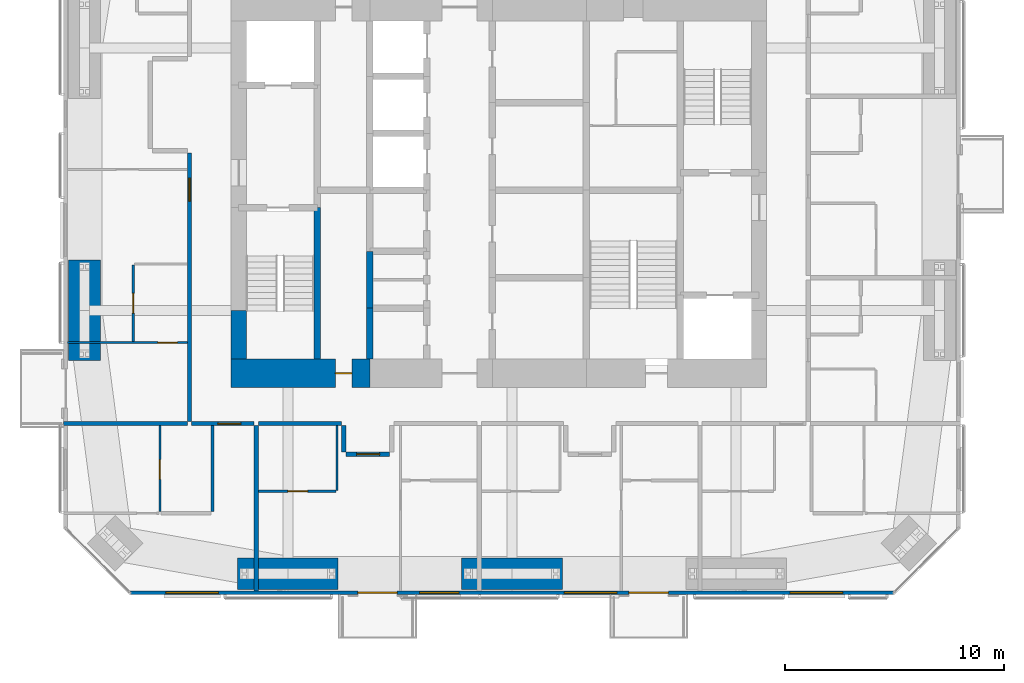
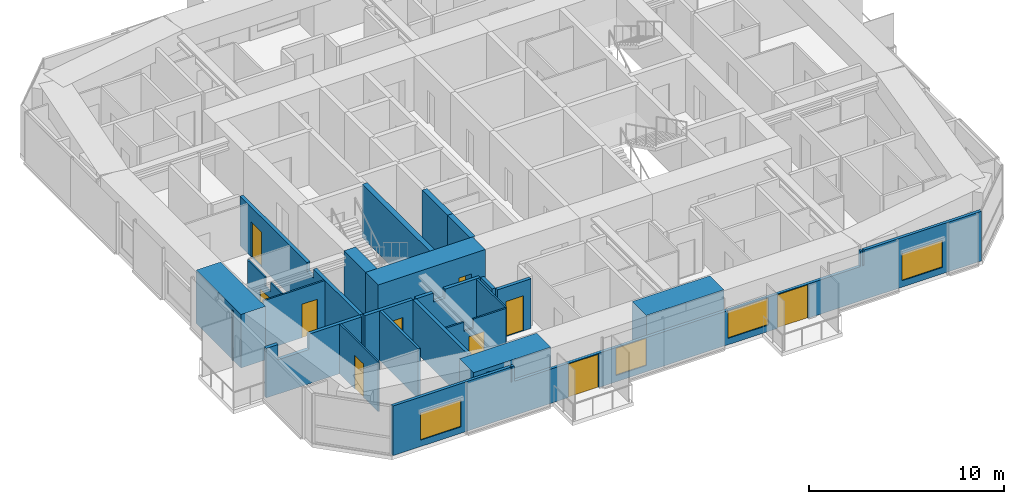
# One storey, part 15 of 22: 22 walls, 10 doors, 4 windows, 14 openings.
"""IFC4 building model written with IfcOpenShell, lengths in metres."""

from ifc_helpers import new_model, si_unit, direction, frame, frame_2d, origin, place, context, subcontext, project, spatial, polyline, rectangle, outline, extrude, material, layer, layer_set, constituent, constituent_set, type_object, element, fill, save


model = new_model("IFC4")

# Units and contexts
model_context = context("Model", 3, precision=1e-05, world=origin(), true_north=direction((0.0, 1.0)))
body_context = subcontext(model_context, "Body", "Model", "MODEL_VIEW")
ifc_project = project(units=[si_unit("LENGTHUNIT", "METRE"), si_unit("AREAUNIT", "SQUARE_METRE"), si_unit("VOLUMEUNIT", "CUBIC_METRE"), si_unit("PLANEANGLEUNIT", "RADIAN"), si_unit("MASSUNIT", "GRAM", prefix="KILO")], contexts=[model_context])

# Site, building, storey
site_placement = place(None, origin())
site = spatial("IfcSite", under=ifc_project, at=site_placement, CompositionType="ELEMENT")
building_placement = place(site_placement, origin())
building = spatial("IfcBuilding", under=site, at=building_placement, Name="Jalousie Tower", CompositionType="ELEMENT")
storey_placement = place(building_placement, frame((0.0, 0.0, 161.050048828125)))
storey = spatial("IfcBuildingStorey", under=building, at=storey_placement, Name="L43", CompositionType="ELEMENT", Elevation=161.050048828125)

# Wall
ifc_material_1 = material(Name="Concrete block ASTM C90", Category="concrete")
ifc_constituent_1 = constituent(ifc_material_1, Name="Body")
ifc_material_2 = material(Name="Render")
ifc_constituent_2 = constituent(ifc_material_2, Name="Finish")
ifc_constituent_set_1 = constituent_set(constituents=[ifc_constituent_1, ifc_constituent_2])
wall_type_1 = type_object("IfcWallType", Name="BATHROOM WALL 150", PredefinedType="PLUMBINGWALL", material=ifc_constituent_set_1)
wall_1_placement = place(storey_placement, frame((18.800048828125, 3.79638671875, 0.0), z_axis=(0.0, 0.0, 1.0), x_axis=(0.0, 1.0, 0.0)))
element("IfcWall", 1, at=wall_1_placement, inside=storey, type_object=wall_type_1, Name="Bathroom Wall 150 L43", PredefinedType="PLUMBINGWALL", context=body_context, shape_type="SweptSolid", body=[
    extrude(rectangle(XDim=3.9287109375, YDim=0.14990234375, at=frame_2d((1.96435546875, 0.0))), origin(), (0.0, 0.0, 1.0), 3.10986328125),
])

# Wall, opening, door
ifc_material_3 = material(Name="Concrete f'c 120 MPa", Category="concrete")
ifc_layer_1 = layer(ifc_material_3, 1.300048828125)
ifc_layer_set_1 = layer_set([ifc_layer_1], Name="Concrete f'c 120 MPa")
wall_type_2 = type_object("IfcWallType", Name="CORE WALL 1300", PredefinedType="SHEAR", material=ifc_layer_set_1)
wall_2_placement = place(storey_placement, frame((19.64990234375, 10.125, 0.0), z_axis=(0.0, 0.0, 1.0), x_axis=(1.0, 0.0, 0.0)))
wall_2 = element("IfcWall", 2, at=wall_2_placement, inside=storey, type_object=wall_type_2, Name="Core wall SA L43", PredefinedType="SHEAR", context=body_context, shape_type="SweptSolid", body=[
    extrude(rectangle(XDim=6.35009765625, YDim=1.300048828125, at=frame_2d((3.175048828125, 0.0))), origin(), (0.0, 0.0, 1.0), 3.349853515625),
])
opening_1_placement = place(wall_2_placement, frame((4.77490234375, 0.0, 0.0)))
opening_1 = element("IfcOpeningElement", 3, at=opening_1_placement, cuts=wall_2, Name="Opening D16", PredefinedType="OPENING", context=body_context, shape_type="SweptSolid", body=[
    extrude(rectangle(XDim=0.75, YDim=2.10009765625, at=frame_2d((0.375, 1.050048828125))), frame((0.0, 0.659912109375, 0.0), z_axis=(0.0, -1.0, 0.0), x_axis=(1.0, 0.0, 0.0)), (0.0, 0.0, 1.0), 1.320068359375),
])
ifc_material_4 = material(Name="Steel fire door", Category="steel")
door_type_1 = type_object("IfcDoorType", Name="RISER DOOR 750", OperationType="SINGLE_SWING_LEFT", PredefinedType="DOOR", material=ifc_material_4)
door_1_placement = place(opening_1_placement, origin())
door_1 = element("IfcDoor", 4, at=door_1_placement, inside=storey, type_object=door_type_1, Name="South riser door", OperationType="SINGLE_SWING_LEFT", OverallHeight=2.10009765625, OverallWidth=0.75, PredefinedType="DOOR", context=body_context, shape_type="SweptSolid", body=[
    extrude(rectangle(XDim=0.75, YDim=2.10009765625, at=frame_2d((0.375, 1.050048828125))), frame((0.0, 0.02490234375, 0.0), z_axis=(0.0, -1.0, 0.0), x_axis=(1.0, 0.0, 0.0)), (0.0, 0.0, 1.0), 0.050048828125),
])
fill(opening_1, door_1)

# Walls
ifc_material_5 = material(Name="Concrete f'c 120 MPa", Category="concrete")
ifc_layer_2 = layer(ifc_material_5, 0.300048828125)
ifc_layer_set_2 = layer_set([ifc_layer_2], Name="Concrete f'c 120 MPa")
wall_type_3 = type_object("IfcWallType", Name="CORE WALL 300", PredefinedType="SHEAR", material=ifc_layer_set_2)
wall_3_placement = place(storey_placement, frame((23.60009765625, 10.77490234375, 0.0), z_axis=(0.0, 0.0, 1.0), x_axis=(0.0, 1.0, 0.0)))
element("IfcWall", 5, at=wall_3_placement, inside=storey, type_object=wall_type_3, Name="Core wall X23.6A L43", PredefinedType="SHEAR", context=body_context, shape_type="SweptSolid", body=[
    extrude(rectangle(XDim=6.925048828125, YDim=0.300048828125, at=frame_2d((3.46240234375, 0.0))), origin(), (0.0, 0.0, 1.0), 3.349853515625),
])
wall_4_placement = place(storey_placement, frame((26.0, 10.77490234375, 0.0), z_axis=(0.0, 0.0, 1.0), x_axis=(0.0, 1.0, 0.0)))
element("IfcWall", 6, at=wall_4_placement, inside=storey, type_object=wall_type_3, Name="Core wall X26A L43", PredefinedType="SHEAR", context=body_context, shape_type="SweptSolid", body=[
    extrude(rectangle(XDim=2.3251953125, YDim=0.300048828125, at=frame_2d((1.16259765625, 0.0))), origin(), (0.0, 0.0, 1.0), 3.349853515625),
])
wall_5_placement = place(storey_placement, frame((26.0, 13.10009765625, 0.0), z_axis=(0.0, 0.0, 1.0), x_axis=(0.0, 1.0, 0.0)))
element("IfcWall", 7, at=wall_5_placement, inside=storey, type_object=wall_type_3, Name="Core wall X26B L43", PredefinedType="SHEAR", context=body_context, shape_type="SweptSolid", body=[
    extrude(rectangle(XDim=2.599853515625, YDim=0.300048828125, at=frame_2d((1.2998046875, 0.0))), origin(), (0.0, 0.0, 1.0), 3.349853515625),
])
ifc_material_6 = material(Name="Concrete f'c 120 MPa", Category="concrete")
ifc_layer_3 = layer(ifc_material_6, 0.699951171875)
ifc_layer_set_3 = layer_set([ifc_layer_3], Name="Concrete f'c 120 MPa")
wall_type_4 = type_object("IfcWallType", Name="CORE WALL 700", PredefinedType="SHEAR", material=ifc_layer_set_3)
wall_6_placement = place(storey_placement, frame((20.0, 13.0, 0.0), z_axis=(0.0, 0.0, 1.0), x_axis=(0.0, -1.0, 0.0)))
element("IfcWall", 8, at=wall_6_placement, inside=storey, type_object=wall_type_4, Name="Core wall WD L43", PredefinedType="SHEAR", context=body_context, shape_type="SweptSolid", body=[
    extrude(rectangle(XDim=2.22509765625, YDim=0.699951171875, at=frame_2d((1.112548828125, 0.0))), origin(), (0.0, 0.0, 1.0), 3.349853515625),
])

# Wall, opening, door
ifc_material_7 = material(Name="Concrete block ASTM C90", Category="concrete")
ifc_constituent_3 = constituent(ifc_material_7, Name="Body")
ifc_material_8 = material(Name="Render")
ifc_constituent_4 = constituent(ifc_material_8, Name="Finish")
ifc_constituent_set_2 = constituent_set(constituents=[ifc_constituent_3, ifc_constituent_4])
wall_type_5 = type_object("IfcWallType", Name="CORRIDOR WALL 200", PredefinedType="PARTITIONING", material=ifc_constituent_set_2)
wall_7_placement = place(storey_placement, frame((17.85009765625, 7.824951171875, 0.0), z_axis=(0.0, 0.0, 1.0), x_axis=(1.0, 0.0, 0.0)))
wall_7 = element("IfcWall", 9, at=wall_7_placement, inside=storey, type_object=wall_type_5, Name="Corridor Wall 200 L43", PredefinedType="PARTITIONING", context=body_context, shape_type="SweptSolid", body=[
    extrude(rectangle(XDim=2.849853515625, YDim=0.199951171875, at=frame_2d((1.4248046875, 0.0))), origin(), (0.0, 0.0, 1.0), 3.10986328125),
])
opening_2_placement = place(wall_7_placement, frame((1.199951171875, 0.0, 0.0)))
opening_2 = element("IfcOpeningElement", 10, at=opening_2_placement, cuts=wall_7, Name="Opening D1", PredefinedType="OPENING", context=body_context, shape_type="SweptSolid", body=[
    extrude(rectangle(XDim=1.050048828125, YDim=2.199951171875, at=frame_2d((0.52490234375, 1.10009765625))), frame((0.0, 0.10986328125, 0.0), z_axis=(0.0, -1.0, 0.0), x_axis=(1.0, 0.0, 0.0)), (0.0, 0.0, 1.0), 0.219970703125),
])
ifc_material_9 = material(Name="Timber fire door", Category="wood")
door_type_2 = type_object("IfcDoorType", Name="APARTMENT ENTRANCE DOOR 1050", OperationType="SINGLE_SWING_LEFT", PredefinedType="DOOR", material=ifc_material_9)
door_2_placement = place(opening_2_placement, frame((1.050048828125, 0.0, 0.0), z_axis=(0.0, 0.0, 1.0), x_axis=(-1.0, 0.0, 0.0)))
door_2 = element("IfcDoor", 11, at=door_2_placement, inside=storey, type_object=door_type_2, Name="Apartment 4301 entrance", OperationType="SINGLE_SWING_RIGHT", OverallHeight=2.199951171875, OverallWidth=1.050048828125, PredefinedType="DOOR", context=body_context, shape_type="SweptSolid", body=[
    extrude(rectangle(XDim=1.050048828125, YDim=2.199951171875, at=frame_2d((0.52490234375, 1.10009765625))), frame((0.0, 0.02490234375, 0.0), z_axis=(0.0, -1.0, 0.0), x_axis=(1.0, 0.0, 0.0)), (0.0, 0.0, 1.0), 0.050048828125),
])
fill(opening_2, door_2)

# Wall
wall_8_placement = place(storey_placement, frame((20.89990234375, 7.824951171875, 0.0), z_axis=(0.0, 0.0, 1.0), x_axis=(1.0, 0.0, 0.0)))
element("IfcWall", 12, at=wall_8_placement, inside=storey, type_object=wall_type_5, Name="Corridor Wall 200 L43", PredefinedType="PARTITIONING", context=body_context, shape_type="SweptSolid", body=[
    extrude(outline(polyline([(0.0, 0.0), (3.800048828125, 0.0), (3.800048828125, 3.10986328125), (1.687255859375, 3.10986328125), (1.687255859375, 2.541015625), (1.0126953125, 2.541015625), (1.0126953125, 3.10986328125), (0.0, 3.10986328125), (0.0, 0.0)])), frame((0.0, 0.10009765625, 0.0), z_axis=(0.0, -1.0, 0.0), x_axis=(1.0, 0.0, 0.0)), (0.0, 0.0, 1.0), 0.199951171875),
])

# Wall, opening, door
wall_9_placement = place(storey_placement, frame((17.75, 7.925048828125, 0.0), z_axis=(0.0, 0.0, 1.0), x_axis=(0.0, 1.0, 0.0)))
wall_9 = element("IfcWall", 13, at=wall_9_placement, inside=storey, type_object=wall_type_5, Name="Corridor Wall 200 L43", PredefinedType="PARTITIONING", context=body_context, shape_type="SweptSolid", body=[
    extrude(outline(polyline([(0.0, 0.0), (12.27490234375, 0.0), (12.27490234375, 3.10986328125), (5.412353515625, 3.10986328125), (5.412353515625, 2.541015625), (4.73779296875, 2.541015625), (4.73779296875, 3.10986328125), (0.0, 3.10986328125), (0.0, 0.0)])), frame((0.0, 0.10009765625, 0.0), z_axis=(0.0, -1.0, 0.0), x_axis=(1.0, 0.0, 0.0)), (0.0, 0.0, 1.0), 0.199951171875),
])
opening_3_placement = place(wall_9_placement, frame((10.074951171875, 0.0, 0.0)))
opening_3 = element("IfcOpeningElement", 14, at=opening_3_placement, cuts=wall_9, Name="Opening D1", PredefinedType="OPENING", context=body_context, shape_type="SweptSolid", body=[
    extrude(rectangle(XDim=1.050048828125, YDim=2.199951171875, at=frame_2d((0.52490234375, 1.10009765625))), frame((0.0, 0.10986328125, 0.0), z_axis=(0.0, -1.0, 0.0), x_axis=(1.0, 0.0, 0.0)), (0.0, 0.0, 1.0), 0.219970703125),
])
door_3_placement = place(opening_3_placement, origin())
door_3 = element("IfcDoor", 15, at=door_3_placement, inside=storey, type_object=door_type_2, Name="Apartment 4309 entrance", OperationType="SINGLE_SWING_RIGHT", OverallHeight=2.199951171875, OverallWidth=1.050048828125, PredefinedType="DOOR", context=body_context, shape_type="SweptSolid", body=[
    extrude(rectangle(XDim=1.050048828125, YDim=2.199951171875, at=frame_2d((0.52490234375, 1.10009765625))), frame((0.0, 0.02490234375, 0.0), z_axis=(0.0, -1.0, 0.0), x_axis=(1.0, 0.0, 0.0)), (0.0, 0.0, 1.0), 0.050048828125),
])
fill(opening_3, door_3)

wall_10_placement = place(storey_placement, frame((24.89990234375, 6.425048828125, 0.0), z_axis=(0.0, 0.0, 1.0), x_axis=(1.0, 0.0, 0.0)))
wall_10 = element("IfcWall", 16, at=wall_10_placement, inside=storey, type_object=wall_type_5, Name="Corridor Wall 200 L43", PredefinedType="PARTITIONING", context=body_context, shape_type="SweptSolid", body=[
    extrude(rectangle(XDim=2.0, YDim=0.199951171875, at=frame_2d((1.0, 0.0))), origin(), (0.0, 0.0, 1.0), 3.10986328125),
])
opening_4_placement = place(wall_10_placement, frame((0.5, 0.0, 0.0)))
opening_4 = element("IfcOpeningElement", 17, at=opening_4_placement, cuts=wall_10, Name="Opening D1", PredefinedType="OPENING", context=body_context, shape_type="SweptSolid", body=[
    extrude(rectangle(XDim=1.050048828125, YDim=2.199951171875, at=frame_2d((0.52490234375, 1.10009765625))), frame((0.0, 0.10986328125, 0.0), z_axis=(0.0, -1.0, 0.0), x_axis=(1.0, 0.0, 0.0)), (0.0, 0.0, 1.0), 0.219970703125),
])
door_4_placement = place(opening_4_placement, frame((1.050048828125, 0.0, 0.0), z_axis=(0.0, 0.0, 1.0), x_axis=(-1.0, 0.0, 0.0)))
door_4 = element("IfcDoor", 18, at=door_4_placement, inside=storey, type_object=door_type_2, Name="Apartment 4302 entrance", OperationType="SINGLE_SWING_RIGHT", OverallHeight=2.199951171875, OverallWidth=1.050048828125, PredefinedType="DOOR", context=body_context, shape_type="SweptSolid", body=[
    extrude(rectangle(XDim=1.050048828125, YDim=2.199951171875, at=frame_2d((0.52490234375, 1.10009765625))), frame((0.0, 0.02490234375, 0.0), z_axis=(0.0, -1.0, 0.0), x_axis=(1.0, 0.0, 0.0)), (0.0, 0.0, 1.0), 0.050048828125),
])
fill(opening_4, door_4)

# Wall
wall_11_placement = place(storey_placement, frame((24.800048828125, 7.72509765625, 0.0), z_axis=(0.0, 0.0, 1.0), x_axis=(0.0, -1.0, 0.0)))
element("IfcWall", 19, at=wall_11_placement, inside=storey, type_object=wall_type_5, Name="Corridor Wall 200 L43", PredefinedType="PARTITIONING", context=body_context, shape_type="SweptSolid", body=[
    extrude(rectangle(XDim=1.2001953125, YDim=0.199951171875, at=frame_2d((0.60009765625, 0.0))), origin(), (0.0, 0.0, 1.0), 3.10986328125),
])

# Wall, openings, doors, windows
ifc_material_10 = material(Name="Concrete f'c 40 MPa", Category="concrete")
ifc_constituent_5 = constituent(ifc_material_10, Name="Body")
ifc_material_11 = material(Name="Render, pastel lemon")
ifc_constituent_6 = constituent(ifc_material_11, Name="Finish")
ifc_constituent_set_3 = constituent_set(constituents=[ifc_constituent_5, ifc_constituent_6])
wall_type_6 = type_object("IfcWallType", Name="EXTERNAL WALL 175 LEMON RENDER", PredefinedType="SOLIDWALL", material=ifc_constituent_set_3)
wall_12_placement = place(storey_placement, frame((15.05126953125, 0.08740234375, 0.0), z_axis=(0.0, 0.0, 1.0), x_axis=(1.0, 0.0, 0.0)))
wall_12 = element("IfcWall", 20, at=wall_12_placement, inside=storey, type_object=wall_type_6, Name="External Wall 175 Lemon Render L43", PredefinedType="SOLIDWALL", context=body_context, shape_type="SweptSolid", body=[
    extrude(outline(polyline([(0.0, 0.0), (34.8974609375, 0.0), (34.8974609375, 3.10986328125), (27.91015625, 3.10986328125), (27.91015625, 2.14990234375), (27.8359375, 2.14990234375), (27.8359375, 3.10986328125), (27.69873046875, 3.10986328125), (27.69873046875, 2.14990234375), (7.19873046875, 2.14990234375), (7.19873046875, 3.10986328125), (7.0615234375, 3.10986328125), (7.0615234375, 2.14990234375), (6.9873046875, 2.14990234375), (6.9873046875, 3.10986328125), (0.0, 3.10986328125), (0.0, 0.0)])), frame((0.0, 0.08740234375, 0.0), z_axis=(0.0, -1.0, 0.0), x_axis=(1.0, 0.0, 0.0)), (0.0, 0.0, 1.0), 0.175048828125),
])
opening_5_placement = place(wall_12_placement, frame((1.62451171875, 0.0, 0.39990234375)))
opening_5 = element("IfcOpeningElement", 21, at=opening_5_placement, cuts=wall_12, Name="Opening W-LIV170", PredefinedType="OPENING", context=body_context, shape_type="SweptSolid", body=[
    extrude(rectangle(XDim=2.39990234375, YDim=1.699951171875, at=frame_2d((1.199951171875, 0.85009765625))), frame((0.0, 0.097412109375, 0.0), z_axis=(0.0, -1.0, 0.0), x_axis=(1.0, 0.0, 0.0)), (0.0, 0.0, 1.0), 0.195068359375),
])
opening_6_placement = place(wall_12_placement, frame((10.398681640625, 0.0, 0.0)))
opening_6 = element("IfcOpeningElement", 22, at=opening_6_placement, cuts=wall_12, Name="Opening D-BAL21", PredefinedType="OPENING", context=body_context, shape_type="SweptSolid", body=[
    extrude(rectangle(XDim=1.800048828125, YDim=2.10009765625, at=frame_2d((0.89990234375, 1.050048828125))), frame((0.0, 0.097412109375, 0.0), z_axis=(0.0, -1.0, 0.0), x_axis=(1.0, 0.0, 0.0)), (0.0, 0.0, 1.0), 0.195068359375),
])
opening_7_placement = place(wall_12_placement, frame((13.2236328125, 0.0, 0.39990234375)))
opening_7 = element("IfcOpeningElement", 23, at=opening_7_placement, cuts=wall_12, Name="Opening W-BED170", PredefinedType="OPENING", context=body_context, shape_type="SweptSolid", body=[
    extrude(rectangle(XDim=1.800048828125, YDim=1.699951171875, at=frame_2d((0.89990234375, 0.85009765625))), frame((0.0, 0.097412109375, 0.0), z_axis=(0.0, -1.0, 0.0), x_axis=(1.0, 0.0, 0.0)), (0.0, 0.0, 1.0), 0.195068359375),
])
opening_8_placement = place(wall_12_placement, frame((19.8486328125, 0.0, 0.39990234375)))
opening_8 = element("IfcOpeningElement", 24, at=opening_8_placement, cuts=wall_12, Name="Opening W-LIV170", PredefinedType="OPENING", context=body_context, shape_type="SweptSolid", body=[
    extrude(rectangle(XDim=2.39990234375, YDim=1.699951171875, at=frame_2d((1.199951171875, 0.85009765625))), frame((0.0, 0.097412109375, 0.0), z_axis=(0.0, -1.0, 0.0), x_axis=(1.0, 0.0, 0.0)), (0.0, 0.0, 1.0), 0.195068359375),
])
opening_9_placement = place(wall_12_placement, frame((22.798583984375, 0.0, 0.0)))
opening_9 = element("IfcOpeningElement", 25, at=opening_9_placement, cuts=wall_12, Name="Opening D-BAL21", PredefinedType="OPENING", context=body_context, shape_type="SweptSolid", body=[
    extrude(rectangle(XDim=1.800048828125, YDim=2.10009765625, at=frame_2d((0.89990234375, 1.050048828125))), frame((0.0, 0.097412109375, 0.0), z_axis=(0.0, -1.0, 0.0), x_axis=(1.0, 0.0, 0.0)), (0.0, 0.0, 1.0), 0.195068359375),
])
opening_10_placement = place(wall_12_placement, frame((30.17041015625, 0.0, 0.39990234375)))
opening_10 = element("IfcOpeningElement", 26, at=opening_10_placement, cuts=wall_12, Name="Opening W-LIV170", PredefinedType="OPENING", context=body_context, shape_type="SweptSolid", body=[
    extrude(rectangle(XDim=2.39990234375, YDim=1.699951171875, at=frame_2d((1.199951171875, 0.85009765625))), frame((0.0, 0.097412109375, 0.0), z_axis=(0.0, -1.0, 0.0), x_axis=(1.0, 0.0, 0.0)), (0.0, 0.0, 1.0), 0.195068359375),
])
ifc_material_12 = material(Name="Aluminium frame, impact-rated glazing", Category="aluminium")
door_type_3 = type_object("IfcDoorType", Name="BALCONY DOOR 1800x2100", OperationType="SLIDING_TO_LEFT", PredefinedType="DOOR", material=ifc_material_12)
door_5_placement = place(opening_6_placement, origin())
door_5 = element("IfcDoor", 27, at=door_5_placement, inside=storey, type_object=door_type_3, Name="Apartment 4302 living and dining room balcony door", OperationType="SLIDING_TO_LEFT", OverallHeight=2.10009765625, OverallWidth=1.800048828125, PredefinedType="DOOR", context=body_context, shape_type="SweptSolid", body=[
    extrude(rectangle(XDim=1.800048828125, YDim=2.10009765625, at=frame_2d((0.89990234375, 1.050048828125))), frame((0.0, 0.02490234375, 0.0), z_axis=(0.0, -1.0, 0.0), x_axis=(1.0, 0.0, 0.0)), (0.0, 0.0, 1.0), 0.050048828125),
])
fill(opening_6, door_5)
door_6_placement = place(opening_9_placement, origin())
door_6 = element("IfcDoor", 28, at=door_6_placement, inside=storey, type_object=door_type_3, Name="Apartment 4303 bedroom 1 balcony door", OperationType="SLIDING_TO_LEFT", OverallHeight=2.10009765625, OverallWidth=1.800048828125, PredefinedType="DOOR", context=body_context, shape_type="SweptSolid", body=[
    extrude(rectangle(XDim=1.800048828125, YDim=2.10009765625, at=frame_2d((0.89990234375, 1.050048828125))), frame((0.0, 0.02490234375, 0.0), z_axis=(0.0, -1.0, 0.0), x_axis=(1.0, 0.0, 0.0)), (0.0, 0.0, 1.0), 0.050048828125),
])
fill(opening_9, door_6)
ifc_material_13 = material(Name="Aluminium frame, impact-rated glazing", Category="aluminium")
window_type_1 = type_object("IfcWindowType", Name="WINDOW BED 1800x1700", PartitioningType="SINGLE_PANEL", PredefinedType="WINDOW", material=ifc_material_13)
window_1_placement = place(opening_7_placement, origin())
window_1 = element("IfcWindow", 29, at=window_1_placement, inside=storey, type_object=window_type_1, Name="Apartment 4302 bedroom 1 window", OverallHeight=1.699951171875, OverallWidth=1.800048828125, PartitioningType="SINGLE_PANEL", PredefinedType="WINDOW", context=body_context, shape_type="SweptSolid", body=[
    extrude(rectangle(XDim=1.800048828125, YDim=1.699951171875, at=frame_2d((0.89990234375, 0.85009765625))), frame((0.0, 0.030029296875, 0.0), z_axis=(0.0, -1.0, 0.0), x_axis=(1.0, 0.0, 0.0)), (0.0, 0.0, 1.0), 0.06005859375),
])
fill(opening_7, window_1)
ifc_material_14 = material(Name="Aluminium frame, impact-rated glazing", Category="aluminium")
window_type_2 = type_object("IfcWindowType", Name="WINDOW LIV 2400x1700", PartitioningType="DOUBLE_PANEL_VERTICAL", PredefinedType="WINDOW", material=ifc_material_14)
window_2_placement = place(opening_5_placement, origin())
window_2 = element("IfcWindow", 30, at=window_2_placement, inside=storey, type_object=window_type_2, Name="Apartment 4301 living, dining and kitchen window", OverallHeight=1.699951171875, OverallWidth=2.39990234375, PartitioningType="SINGLE_PANEL", PredefinedType="WINDOW", context=body_context, shape_type="SweptSolid", body=[
    extrude(rectangle(XDim=2.39990234375, YDim=1.699951171875, at=frame_2d((1.199951171875, 0.85009765625))), frame((0.0, 0.030029296875, 0.0), z_axis=(0.0, -1.0, 0.0), x_axis=(1.0, 0.0, 0.0)), (0.0, 0.0, 1.0), 0.06005859375),
])
fill(opening_5, window_2)
window_3_placement = place(opening_8_placement, origin())
window_3 = element("IfcWindow", 31, at=window_3_placement, inside=storey, type_object=window_type_2, Name="Apartment 4303 living and dining room window", OverallHeight=1.699951171875, OverallWidth=2.39990234375, PartitioningType="SINGLE_PANEL", PredefinedType="WINDOW", context=body_context, shape_type="SweptSolid", body=[
    extrude(rectangle(XDim=2.39990234375, YDim=1.699951171875, at=frame_2d((1.199951171875, 0.85009765625))), frame((0.0, 0.030029296875, 0.0), z_axis=(0.0, -1.0, 0.0), x_axis=(1.0, 0.0, 0.0)), (0.0, 0.0, 1.0), 0.06005859375),
])
fill(opening_8, window_3)
window_4_placement = place(opening_10_placement, origin())
window_4 = element("IfcWindow", 32, at=window_4_placement, inside=storey, type_object=window_type_2, Name="Apartment 4304 living and dining room window", OverallHeight=1.699951171875, OverallWidth=2.39990234375, PartitioningType="SINGLE_PANEL", PredefinedType="WINDOW", context=body_context, shape_type="SweptSolid", body=[
    extrude(rectangle(XDim=2.39990234375, YDim=1.699951171875, at=frame_2d((1.199951171875, 0.85009765625))), frame((0.0, 0.030029296875, 0.0), z_axis=(0.0, -1.0, 0.0), x_axis=(1.0, 0.0, 0.0)), (0.0, 0.0, 1.0), 0.06005859375),
])
fill(opening_10, window_4)

# Wall, opening, door
ifc_material_15 = material(Name="Gypsum board", Category="gypsum")
ifc_constituent_7 = constituent(ifc_material_15, Name="Body")
ifc_material_16 = material(Name="Light-gauge steel studs ASTM A653 SS Grade 33", Category="steel")
ifc_constituent_8 = constituent(ifc_material_16, Name="Framing")
ifc_constituent_set_4 = constituent_set(constituents=[ifc_constituent_7, ifc_constituent_8])
wall_type_7 = type_object("IfcWallType", Name="PARTITION 100", PredefinedType="PARTITIONING", material=ifc_constituent_set_4)
wall_13_placement = place(storey_placement, frame((16.39990234375, 3.79638671875, 0.0), z_axis=(0.0, 0.0, 1.0), x_axis=(0.0, 1.0, 0.0)))
wall_13 = element("IfcWall", 33, at=wall_13_placement, inside=storey, type_object=wall_type_7, Name="Partition 100 L43", PredefinedType="PARTITIONING", context=body_context, shape_type="SweptSolid", body=[
    extrude(rectangle(XDim=3.9287109375, YDim=0.10009765625, at=frame_2d((1.96435546875, 0.0))), origin(), (0.0, 0.0, 1.0), 3.10986328125),
])
opening_11_placement = place(wall_13_placement, frame((1.476806640625, 0.0, 0.0)))
opening_11 = element("IfcOpeningElement", 34, at=opening_11_placement, cuts=wall_13, Name="Opening D3", PredefinedType="OPENING", context=body_context, shape_type="SweptSolid", body=[
    extrude(rectangle(XDim=0.89990234375, YDim=2.10009765625, at=frame_2d((0.449951171875, 1.050048828125))), frame((0.0, 0.06005859375, 0.0), z_axis=(0.0, -1.0, 0.0), x_axis=(1.0, 0.0, 0.0)), (0.0, 0.0, 1.0), 0.1201171875),
])
ifc_material_17 = material(Name="Timber door", Category="wood")
door_type_4 = type_object("IfcDoorType", Name="BATHROOM DOOR 900", OperationType="SINGLE_SWING_LEFT", PredefinedType="DOOR", material=ifc_material_17)
door_7_placement = place(opening_11_placement, frame((0.89990234375, 0.0, 0.0), z_axis=(0.0, 0.0, 1.0), x_axis=(-1.0, 0.0, 0.0)))
door_7 = element("IfcDoor", 35, at=door_7_placement, inside=storey, type_object=door_type_4, Name="Apartment 4301 bedroom 1 bathroom door", OperationType="SINGLE_SWING_RIGHT", OverallHeight=2.10009765625, OverallWidth=0.89990234375, PredefinedType="DOOR", context=body_context, shape_type="SweptSolid", body=[
    extrude(rectangle(XDim=0.89990234375, YDim=2.10009765625, at=frame_2d((0.449951171875, 1.050048828125))), frame((0.0, 0.02490234375, 0.0), z_axis=(0.0, -1.0, 0.0), x_axis=(1.0, 0.0, 0.0)), (0.0, 0.0, 1.0), 0.050048828125),
])
fill(opening_11, door_7)

wall_14_placement = place(storey_placement, frame((20.89990234375, 4.72509765625, 0.0), z_axis=(0.0, 0.0, 1.0), x_axis=(1.0, 0.0, 0.0)))
wall_14 = element("IfcWall", 36, at=wall_14_placement, inside=storey, type_object=wall_type_7, Name="Partition 100 L43", PredefinedType="PARTITIONING", context=body_context, shape_type="SweptSolid", body=[
    extrude(outline(polyline([(0.0, 0.0), (3.550048828125, 0.0), (3.550048828125, 3.10986328125), (1.637451171875, 3.10986328125), (1.637451171875, 2.541015625), (1.062744140625, 2.541015625), (1.062744140625, 3.10986328125), (0.0, 3.10986328125), (0.0, 0.0)])), frame((0.0, 0.050048828125, 0.0), z_axis=(0.0, -1.0, 0.0), x_axis=(1.0, 0.0, 0.0)), (0.0, 0.0, 1.0), 0.10009765625),
])
opening_12_placement = place(wall_14_placement, frame((1.35009765625, 0.0, 0.0)))
opening_12 = element("IfcOpeningElement", 37, at=opening_12_placement, cuts=wall_14, Name="Opening D7", PredefinedType="OPENING", context=body_context, shape_type="SweptSolid", body=[
    extrude(rectangle(XDim=0.89990234375, YDim=2.10009765625, at=frame_2d((0.449951171875, 1.050048828125))), frame((0.0, 0.06005859375, 0.0), z_axis=(0.0, -1.0, 0.0), x_axis=(1.0, 0.0, 0.0)), (0.0, 0.0, 1.0), 0.1201171875),
])
ifc_material_18 = material(Name="Timber door", Category="wood")
door_type_5 = type_object("IfcDoorType", Name="INTERNAL DOOR 900", OperationType="SINGLE_SWING_LEFT", PredefinedType="DOOR", material=ifc_material_18)
door_8_placement = place(opening_12_placement, frame((0.89990234375, 0.0, 0.0), z_axis=(0.0, 0.0, 1.0), x_axis=(-1.0, 0.0, 0.0)))
door_8 = element("IfcDoor", 38, at=door_8_placement, inside=storey, type_object=door_type_5, Name="Apartment 4302 kitchen door", OperationType="SINGLE_SWING_RIGHT", OverallHeight=2.10009765625, OverallWidth=0.89990234375, PredefinedType="DOOR", context=body_context, shape_type="SweptSolid", body=[
    extrude(rectangle(XDim=0.89990234375, YDim=2.10009765625, at=frame_2d((0.449951171875, 1.050048828125))), frame((0.0, 0.02490234375, 0.0), z_axis=(0.0, -1.0, 0.0), x_axis=(1.0, 0.0, 0.0)), (0.0, 0.0, 1.0), 0.050048828125),
])
fill(opening_12, door_8)

# Wall
wall_15_placement = place(storey_placement, frame((24.5, 4.77490234375, 0.0), z_axis=(0.0, 0.0, 1.0), x_axis=(0.0, 1.0, 0.0)))
element("IfcWall", 39, at=wall_15_placement, inside=storey, type_object=wall_type_7, Name="Partition 100 L43", PredefinedType="PARTITIONING", context=body_context, shape_type="SweptSolid", body=[
    extrude(rectangle(XDim=2.9501953125, YDim=0.10009765625, at=frame_2d((1.47509765625, 0.0))), origin(), (0.0, 0.0, 1.0), 3.10986328125),
])

# Wall, opening, door
wall_16_placement = place(storey_placement, frame((12.175048828125, 11.52490234375, 0.0), z_axis=(0.0, 0.0, 1.0), x_axis=(1.0, 0.0, 0.0)))
wall_16 = element("IfcWall", 40, at=wall_16_placement, inside=storey, type_object=wall_type_7, Name="Partition 100 L43", PredefinedType="PARTITIONING", context=body_context, shape_type="SweptSolid", body=[
    extrude(outline(polyline([(0.101318359375, 3.10986328125), (0.0, 3.10986328125), (0.0, 0.0), (0.52880859375, 0.0), (0.52880859375, 0.26904296875), (1.021240234375, 0.26904296875), (1.021240234375, 0.0), (5.47509765625, 0.0), (5.47509765625, 3.10986328125), (1.8359375, 3.10986328125), (1.8359375, 2.14990234375), (1.021240234375, 2.14990234375), (1.021240234375, 1.880859375), (0.52880859375, 1.880859375), (0.52880859375, 2.14990234375), (0.101318359375, 2.14990234375), (0.101318359375, 3.10986328125)])), frame((0.0, 0.050048828125, 0.0), z_axis=(0.0, -1.0, 0.0), x_axis=(1.0, 0.0, 0.0)), (0.0, 0.0, 1.0), 0.10009765625),
])
opening_13_placement = place(wall_16_placement, frame((4.125, 0.0, 0.0)))
opening_13 = element("IfcOpeningElement", 41, at=opening_13_placement, cuts=wall_16, Name="Opening D2", PredefinedType="OPENING", context=body_context, shape_type="SweptSolid", body=[
    extrude(rectangle(XDim=0.89990234375, YDim=2.10009765625, at=frame_2d((0.449951171875, 1.050048828125))), frame((0.0, 0.06005859375, 0.0), z_axis=(0.0, -1.0, 0.0), x_axis=(1.0, 0.0, 0.0)), (0.0, 0.0, 1.0), 0.1201171875),
])
ifc_material_19 = material(Name="Timber door", Category="wood")
door_type_6 = type_object("IfcDoorType", Name="BEDROOM DOOR 900", OperationType="SINGLE_SWING_LEFT", PredefinedType="DOOR", material=ifc_material_19)
door_9_placement = place(opening_13_placement, frame((0.89990234375, 0.0, 0.0), z_axis=(0.0, 0.0, 1.0), x_axis=(-1.0, 0.0, 0.0)))
door_9 = element("IfcDoor", 42, at=door_9_placement, inside=storey, type_object=door_type_6, Name="Apartment 4309 bedroom 1 door", OperationType="SINGLE_SWING_LEFT", OverallHeight=2.10009765625, OverallWidth=0.89990234375, PredefinedType="DOOR", context=body_context, shape_type="SweptSolid", body=[
    extrude(rectangle(XDim=0.89990234375, YDim=2.10009765625, at=frame_2d((0.449951171875, 1.050048828125))), frame((0.0, 0.02490234375, 0.0), z_axis=(0.0, -1.0, 0.0), x_axis=(1.0, 0.0, 0.0)), (0.0, 0.0, 1.0), 0.050048828125),
])
fill(opening_13, door_9)

wall_17_placement = place(storey_placement, frame((15.175048828125, 11.574951171875, 0.0), z_axis=(0.0, 0.0, 1.0), x_axis=(0.0, 1.0, 0.0)))
wall_17 = element("IfcWall", 43, at=wall_17_placement, inside=storey, type_object=wall_type_7, Name="Partition 100 L43", PredefinedType="PARTITIONING", context=body_context, shape_type="SweptSolid", body=[
    extrude(outline(polyline([(0.0, 0.0), (3.5, 0.0), (3.5, 3.10986328125), (1.71240234375, 3.10986328125), (1.71240234375, 2.541015625), (1.1376953125, 2.541015625), (1.1376953125, 3.10986328125), (0.0, 3.10986328125), (0.0, 0.0)])), frame((0.0, 0.050048828125, 0.0), z_axis=(0.0, -1.0, 0.0), x_axis=(1.0, 0.0, 0.0)), (0.0, 0.0, 1.0), 0.10009765625),
])
opening_14_placement = place(wall_17_placement, frame((1.300048828125, 0.0, 0.0)))
opening_14 = element("IfcOpeningElement", 44, at=opening_14_placement, cuts=wall_17, Name="Opening D7", PredefinedType="OPENING", context=body_context, shape_type="SweptSolid", body=[
    extrude(rectangle(XDim=0.89990234375, YDim=2.10009765625, at=frame_2d((0.449951171875, 1.050048828125))), frame((0.0, 0.06005859375, 0.0), z_axis=(0.0, -1.0, 0.0), x_axis=(1.0, 0.0, 0.0)), (0.0, 0.0, 1.0), 0.1201171875),
])
door_10_placement = place(opening_14_placement, frame((0.89990234375, 0.0, 0.0), z_axis=(0.0, 0.0, 1.0), x_axis=(-1.0, 0.0, 0.0)))
door_10 = element("IfcDoor", 45, at=door_10_placement, inside=storey, type_object=door_type_5, Name="Apartment 4309 kitchen door", OperationType="SINGLE_SWING_RIGHT", OverallHeight=2.10009765625, OverallWidth=0.89990234375, PredefinedType="DOOR", context=body_context, shape_type="SweptSolid", body=[
    extrude(rectangle(XDim=0.89990234375, YDim=2.10009765625, at=frame_2d((0.449951171875, 1.050048828125))), frame((0.0, 0.02490234375, 0.0), z_axis=(0.0, -1.0, 0.0), x_axis=(1.0, 0.0, 0.0)), (0.0, 0.0, 1.0), 0.050048828125),
])
fill(opening_14, door_10)

# Walls
ifc_material_20 = material(Name="Concrete block ASTM C90", Category="concrete")
ifc_constituent_9 = constituent(ifc_material_20, Name="Body")
ifc_material_21 = material(Name="Render")
ifc_constituent_10 = constituent(ifc_material_21, Name="Finish")
ifc_constituent_set_5 = constituent_set(constituents=[ifc_constituent_9, ifc_constituent_10])
wall_type_8 = type_object("IfcWallType", Name="PARTY WALL 200", PredefinedType="PARTITIONING", material=ifc_constituent_set_5)
wall_18_placement = place(storey_placement, frame((20.800048828125, 0.175048828125, 0.0), z_axis=(0.0, 0.0, 1.0), x_axis=(0.0, 1.0, 0.0)))
element("IfcWall", 46, at=wall_18_placement, inside=storey, type_object=wall_type_8, Name="Party Wall 200 L43", PredefinedType="PARTITIONING", context=body_context, shape_type="SweptSolid", body=[
    extrude(outline(polyline([(0.107421875, 3.10986328125), (0.0, 3.10986328125), (0.0, 0.0), (0.52880859375, 0.0), (0.52880859375, 0.33203125), (1.021240234375, 0.33203125), (1.021240234375, 0.0), (7.550048828125, 0.0), (7.550048828125, 3.10986328125), (1.955810546875, 3.10986328125), (1.955810546875, 2.14990234375), (1.021240234375, 2.14990234375), (1.021240234375, 1.81787109375), (0.52880859375, 1.81787109375), (0.52880859375, 2.14990234375), (0.107421875, 2.14990234375), (0.107421875, 3.10986328125)])), frame((0.0, 0.10009765625, 0.0), z_axis=(0.0, -1.0, 0.0), x_axis=(1.0, 0.0, 0.0)), (0.0, 0.0, 1.0), 0.199951171875),
])
wall_19_placement = place(storey_placement, frame((12.0, 7.824951171875, 0.0), z_axis=(0.0, 0.0, 1.0), x_axis=(1.0, 0.0, 0.0)))
element("IfcWall", 47, at=wall_19_placement, inside=storey, type_object=wall_type_8, Name="Party Wall 200 L43", PredefinedType="PARTITIONING", context=body_context, shape_type="SweptSolid", body=[
    extrude(outline(polyline([(0.0, 0.0), (5.64990234375, 0.0), (5.64990234375, 3.10986328125), (2.54736328125, 3.10986328125), (2.54736328125, 2.14990234375), (0.711669921875, 2.14990234375), (0.711669921875, 3.10986328125), (0.0, 3.10986328125), (0.0, 0.0)])), frame((0.0, 0.10009765625, 0.0), z_axis=(0.0, -1.0, 0.0), x_axis=(1.0, 0.0, 0.0)), (0.0, 0.0, 1.0), 0.199951171875),
])
ifc_material_22 = material(Name="Concrete f'c 120 MPa", Category="concrete")
ifc_layer_4 = layer(ifc_material_22, 1.449951171875)
ifc_layer_set_4 = layer_set([ifc_layer_4], Name="Concrete f'c 120 MPa")
wall_type_9 = type_object("IfcWallType", Name="RC WALL PIER 1450", PredefinedType="SHEAR", material=ifc_layer_set_4)
for number, where, z_axis, x_axis, name in (
    (48, (19.949951171875, 0.949951171875, 0.0), (0.0, 0.0, 1.0), (1.0, 0.0, 0.0), "Wall pier 02 L43"),
    (49, (30.199951171875, 0.949951171875, 0.0), (0.0, 0.0, 1.0), (1.0, 0.0, 0.0), "Wall pier 03 L43"),
    (50, (12.949951171875, 10.699951171875, 0.0), (0.0, 0.0, 1.0), (0.0, 1.0, 0.0), "Wall pier 14 L43"),
):
    element("IfcWall", number, at=place(storey_placement, frame(where, z_axis=z_axis, x_axis=x_axis)), inside=storey, type_object=wall_type_9, Name=name, PredefinedType="SHEAR", context=body_context, shape_type="SweptSolid", body=[
        extrude(rectangle(XDim=4.60009765625, YDim=1.449951171875, at=frame_2d((2.300048828125, 0.0))), origin(), (0.0, 0.0, 1.0), 3.349853515625),
    ])

save(model, "model.ifc")
